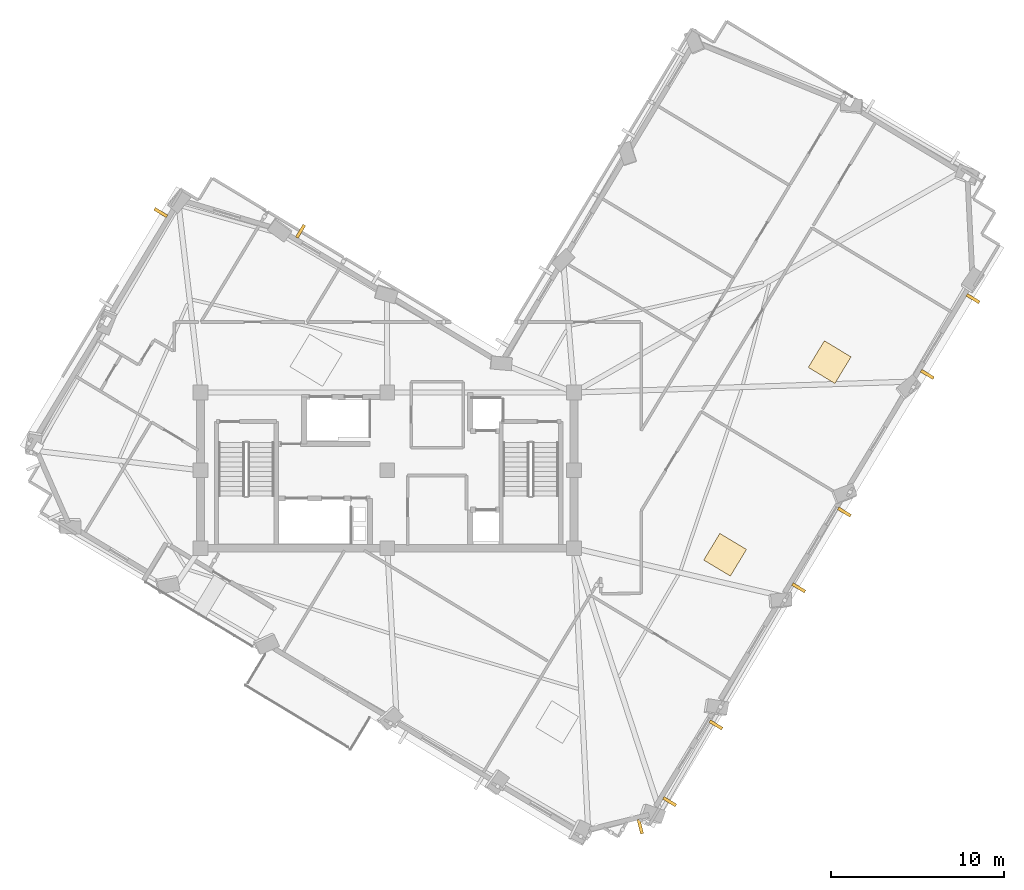
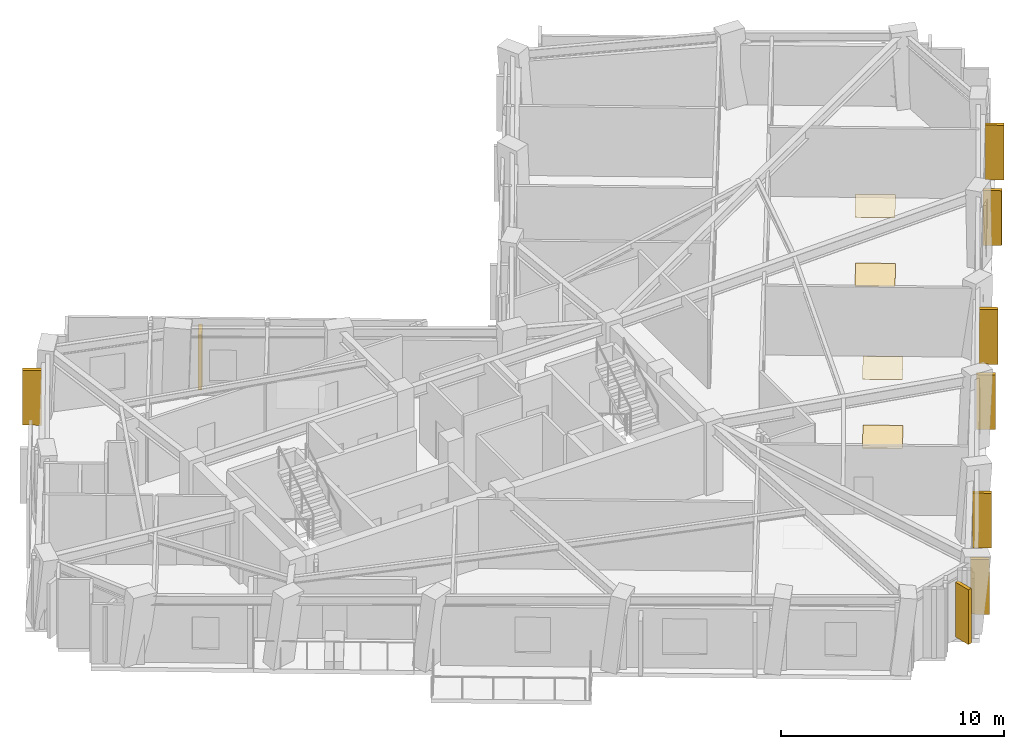
# One storey, part 11 of 12: 9 shading devices, 4 coverings.
"""IFC4 building model written with IfcOpenShell, lengths in metres."""

from ifc_helpers import new_model, si_unit, direction, frame, origin, origin_2d, place, context, subcontext, project, spatial, rectangle, extrude, material, layer, layer_set, type_object, element, save


model = new_model("IFC4")

# Units and contexts
model_context = context("Model", 3, precision=1e-05, world=origin(), true_north=direction((0.0, 1.0)))
body_context = subcontext(model_context, "Body", "Model", "MODEL_VIEW")
ifc_project = project(units=[si_unit("LENGTHUNIT", "METRE"), si_unit("AREAUNIT", "SQUARE_METRE"), si_unit("VOLUMEUNIT", "CUBIC_METRE"), si_unit("PLANEANGLEUNIT", "RADIAN"), si_unit("MASSUNIT", "GRAM", prefix="KILO")], contexts=[model_context])

# Site, building, storey
site_placement = place(None, origin())
site = spatial("IfcSite", under=ifc_project, at=site_placement, CompositionType="ELEMENT")
building_placement = place(site_placement, origin())
building = spatial("IfcBuilding", under=site, at=building_placement, Name="Gaonmaruhae Medical Tower", CompositionType="ELEMENT")
storey_placement = place(building_placement, frame((0.0, 0.0, 276.60009765625)))
storey = spatial("IfcBuildingStorey", under=building, at=storey_placement, Name="L66", CompositionType="ELEMENT", Elevation=276.60009765625)

# Coverings
ifc_material_1 = material(Name="Acoustic mineral ceiling tile", Category="finish")
ifc_layer_1 = layer(ifc_material_1, 0.02490234375)
ifc_layer_set_1 = layer_set([ifc_layer_1], Name="Acoustic mineral ceiling tile")
covering_type_1 = type_object("IfcCoveringType", Name="CLG-01 Antimicrobial Acoustic Mineral Ceiling", PredefinedType="CEILING", material=ifc_layer_set_1)
for number, where, z_axis, x_axis, name in (
    (1, (44.331298828125, 7.41943359375, 3.7548828125), (0.0, 0.0, 1.0), (0.516533328867, 0.8562670846, 0.0), "L66 Clinical Room Acoustic Ceiling 3"),
    (2, (50.376708984375, 18.556884765625, 3.7548828125), (0.0, 0.0, 1.0), (0.516533328867, 0.8562670846, 0.0), "L66 Clinical Room Acoustic Ceiling 4"),
):
    element("IfcCovering", number, at=place(storey_placement, frame(where, z_axis=z_axis, x_axis=x_axis)), inside=storey, type_object=covering_type_1, Name=name, PredefinedType="CEILING", context=body_context, shape_type="SweptSolid", body=[
        extrude(rectangle(XDim=1.800048828125, YDim=1.800048828125, at=origin_2d()), origin(), (0.0, 0.0, 1.0), 0.02490234375),
    ])
ifc_material_2 = material(Name="Seamless clinical vinyl flooring", Category="finish")
ifc_layer_2 = layer(ifc_material_2, 0.014892578125)
ifc_layer_set_2 = layer_set([ifc_layer_2], Name="Seamless clinical vinyl flooring")
covering_type_2 = type_object("IfcCoveringType", Name="FLR-01 Seamless Clinical Antistatic Vinyl Flooring", PredefinedType="FLOORING", material=ifc_layer_set_2)
for number, where, z_axis, x_axis, name in (
    (3, (44.331298828125, 7.41943359375, 0.0), (0.0, 0.0, 1.0), (0.516533328867, 0.8562670846, 0.0), "L66 Clinical Room Vinyl Flooring 3"),
    (4, (50.376708984375, 18.556884765625, 0.0), (0.0, 0.0, 1.0), (0.516533328867, 0.8562670846, 0.0), "L66 Clinical Room Vinyl Flooring 4"),
):
    element("IfcCovering", number, at=place(storey_placement, frame(where, z_axis=z_axis, x_axis=x_axis)), inside=storey, type_object=covering_type_2, Name=name, PredefinedType="FLOORING", context=body_context, shape_type="SweptSolid", body=[
        extrude(rectangle(XDim=1.800048828125, YDim=1.800048828125, at=origin_2d()), origin(), (0.0, 0.0, 1.0), 0.014892578125),
    ])

# Shading devices
ifc_material_3 = material(Name="Pigmented coral precast concrete C45/55", Category="concrete")
shading_device_type = type_object("IfcShadingDeviceType", Name="SD-FIN1 Tower Vertical Coral Precast Shading Fin", PredefinedType="USERDEFINED", material=ifc_material_3)
for number, where, z_axis, x_axis, name in (
    (5, (43.802490234375, -2.418212890625, 0.13232421875), (0.0, 0.0, 1.0), (-0.516533328867, -0.8562670846, 0.0), "L66 Vertical Coral Precast Shading Fin S01"),
    (6, (41.124267578125, -6.857421875, 0.13232421875), (0.0, 0.0, 1.0), (-0.516533328867, -0.8562670846, 0.0), "L66 Vertical Coral Precast Shading Fin S01B"),
    (7, (51.226806640625, 9.8896484375, 0.13232421875), (0.0, 0.0, 1.0), (-0.516533328867, -0.8562670846, 0.0), "L66 Vertical Coral Precast Shading Fin S03"),
    (8, (48.585693359375, 5.51123046875, 0.13232421875), (0.0, 0.0, 1.0), (-0.516533328867, -0.8562670846, 0.0), "L66 Vertical Coral Precast Shading Fin S03B"),
    (9, (58.67041015625, 22.22900390625, 0.13232421875), (0.0, 0.0, 1.0), (-0.516533328867, -0.8562670846, 0.0), "L66 Vertical Coral Precast Shading Fin S05"),
    (10, (56.026611328125, 17.84619140625, 0.13232421875), (0.0, 0.0, 1.0), (-0.516533328867, -0.8562670846, 0.0), "L66 Vertical Coral Precast Shading Fin S05B"),
    (11, (19.783447265625, 26.12158203125, 0.13232421875), (0.0, 0.0, 1.0), (0.8562670846, -0.516533328867, 0.0), "L66 Vertical Coral Precast Shading Fin NE01"),
    (12, (11.69970703125, 27.20556640625, 0.13232421875), (0.0, 0.0, 1.0), (0.516533328867, 0.8562670846, 0.0), "L66 Vertical Coral Precast Shading Fin N01B"),
    (13, (39.42822265625, -8.30078125, 0.13232421875), (0.0, 0.0, 1.0), (-0.970716481578, -0.240228042477, 0.0), "L66 Vertical Coral Precast Shading Fin W06"),
):
    element("IfcShadingDevice", number, at=place(storey_placement, frame(where, z_axis=z_axis, x_axis=x_axis)), inside=storey, type_object=shading_device_type, Name=name, ObjectType="FIN", PredefinedType="USERDEFINED", context=body_context, shape_type="SweptSolid", body=[
        extrude(rectangle(XDim=0.179931640625, YDim=0.85009765625, at=origin_2d()), origin(), (0.0, 0.0, 1.0), 3.0),
    ])

save(model, "model.ifc")
